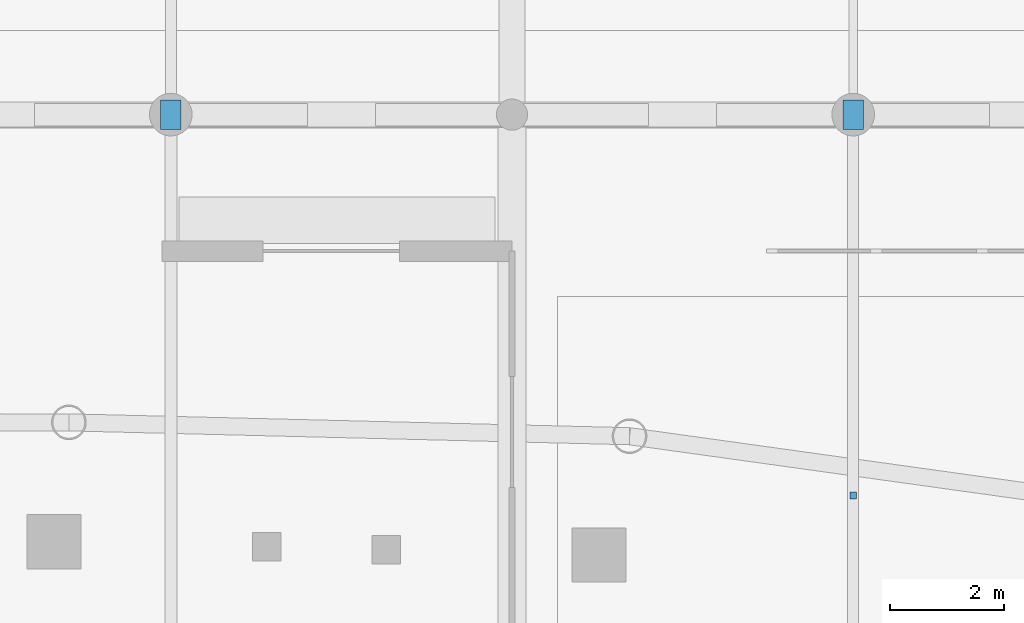
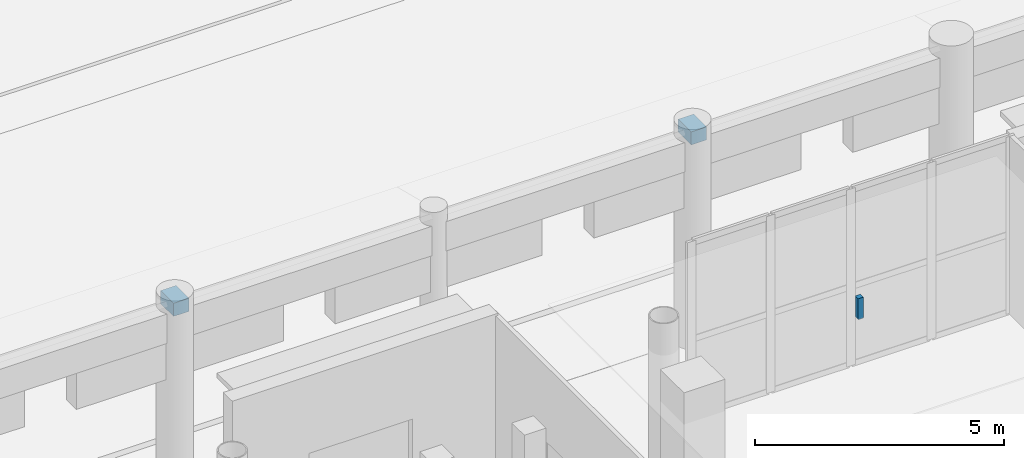
# One storey, part 83 of 120: 3 discrete accessories.
"""IFC4 building model written with IfcOpenShell, lengths in metres."""

from ifc_helpers import new_model, si_unit, direction, frame, origin, origin_2d, place, context, subcontext, project, spatial, rectangle, extrude, material, layer, layer_set, type_object, element, save


model = new_model("IFC4")

# Units and contexts
model_context = context("Model", 3, precision=1e-05, world=origin(), true_north=direction((0.0, 1.0)))
body_context = subcontext(model_context, "Body", "Model", "MODEL_VIEW")
ifc_project = project(units=[si_unit("LENGTHUNIT", "METRE"), si_unit("AREAUNIT", "SQUARE_METRE"), si_unit("VOLUMEUNIT", "CUBIC_METRE"), si_unit("PLANEANGLEUNIT", "RADIAN"), si_unit("MASSUNIT", "GRAM", prefix="KILO")], contexts=[model_context])

# Site, building, storey
site_placement = place(None, origin())
site = spatial("IfcSite", under=ifc_project, at=site_placement, CompositionType="ELEMENT")
building_placement = place(site_placement, origin())
building = spatial("IfcBuilding", under=site, at=building_placement, Name="Luwafu Chhajja Arena", CompositionType="ELEMENT")
storey_placement = place(building_placement, origin())
storey = spatial("IfcBuildingStorey", under=building, at=storey_placement, Name="L00", CompositionType="ELEMENT", Elevation=0.0)

# Discrete accessories
ifc_material = material(Name="Stainless steel bracket", Category="steel")
ifc_layer = layer(ifc_material, 0.179931640625, Name="Stainless steel bracket")
ifc_layer_set = layer_set([ifc_layer], Name="Stainless steel bracket")
discrete_accessory_type = type_object("IfcDiscreteAccessoryType", Name="Stainless Steel Facade Support Bracket", PredefinedType="BRACKET", material=ifc_layer_set)
for number, where, z_axis, x_axis, name in (
    (1, (110.0, 99.0, 4.97998046875), (0.0, 0.0, 1.0), (1.0, 0.0, 0.0), "L00 Chhajja Eave Support Bracket 0095"),
    (2, (122.0, 99.0, 4.97998046875), (0.0, 0.0, 1.0), (1.0, 0.0, 0.0), "L00 Chhajja Eave Support Bracket 0096"),
):
    element("IfcDiscreteAccessory", number, at=place(storey_placement, frame(where, z_axis=z_axis, x_axis=x_axis)), inside=storey, type_object=discrete_accessory_type, Name=name, PredefinedType="BRACKET", context=body_context, shape_type="SweptSolid", body=[
        extrude(rectangle(XDim=0.360107421875, YDim=0.52001953125, at=origin_2d()), origin(), (0.0, 0.0, 1.0), 0.320068359375),
    ])
discrete_accessory_placement = place(storey_placement, frame((122.0, 92.300048828125, 4.6015625), z_axis=(0.0, 0.0, 1.0), x_axis=(1.0, 0.0, 0.0)))
element("IfcDiscreteAccessory", 3, at=discrete_accessory_placement, inside=storey, type_object=discrete_accessory_type, Name="L00 Ceiling Suspension Hanger 012", PredefinedType="BRACKET", context=body_context, shape_type="SweptSolid", body=[
    extrude(rectangle(XDim=0.1201171875, YDim=0.1201171875, at=origin_2d()), origin(), (0.0, 0.0, 1.0), 0.508544921875),
])

save(model, "model.ifc")
